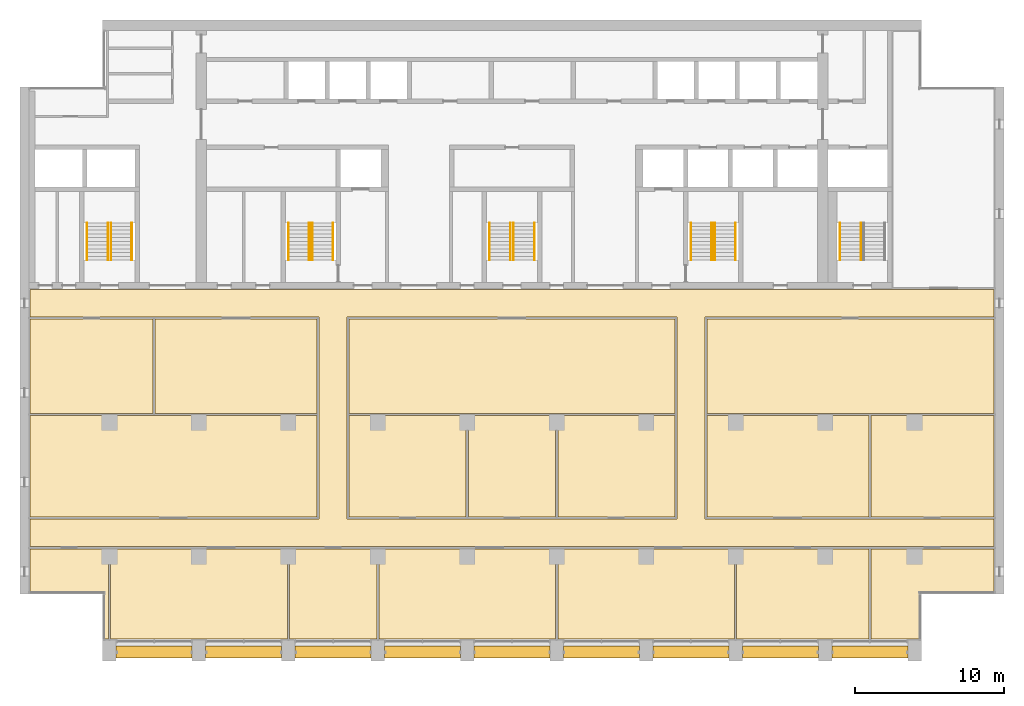
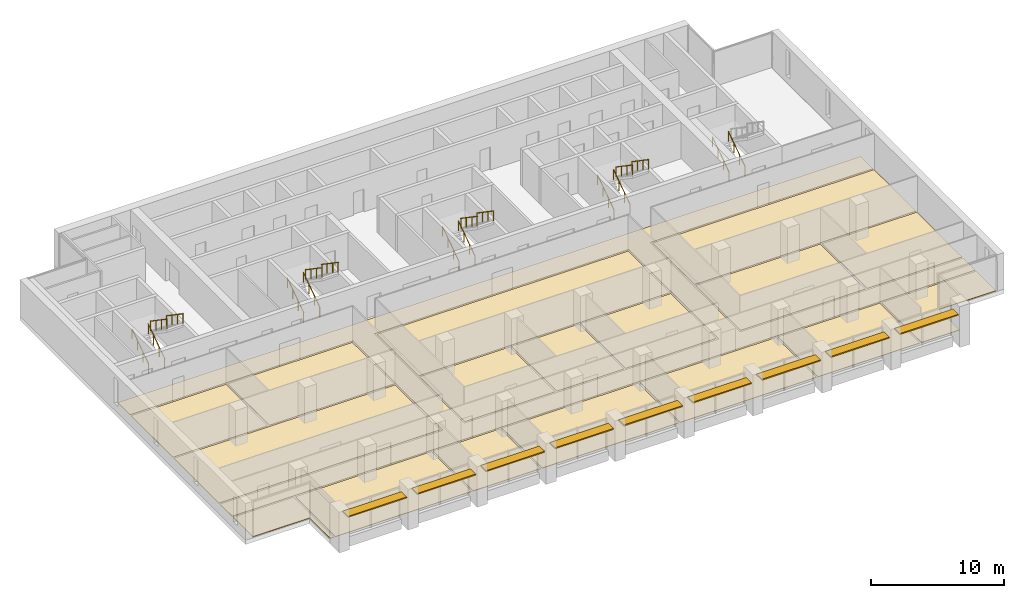
# One storey, part 16 of 17: 18 coverings, 18 railings, 9 shading devices, 5 elements without a shape of their own.
"""IFC4 building model written with IfcOpenShell, lengths in metres."""

from ifc_helpers import new_model, si_unit, direction, frame, origin, origin_2d, place, context, subcontext, project, spatial, polyline, rectangle, circle, outline, extrude, material, layer, layer_set, material_profile, profile_set, type_object, element, aggregate, save


model = new_model("IFC4")

# Units and contexts
model_context = context("Model", 3, precision=1e-05, world=origin(), true_north=direction((0.0, 1.0)))
body_context = subcontext(model_context, "Body", "Model", "MODEL_VIEW")
ifc_project = project(units=[si_unit("LENGTHUNIT", "METRE"), si_unit("AREAUNIT", "SQUARE_METRE"), si_unit("VOLUMEUNIT", "CUBIC_METRE"), si_unit("PLANEANGLEUNIT", "RADIAN"), si_unit("MASSUNIT", "GRAM", prefix="KILO")], contexts=[model_context])

# Site, building, storey
site_placement = place(None, origin())
site = spatial("IfcSite", under=ifc_project, at=site_placement, CompositionType="ELEMENT")
building_placement = place(site_placement, origin())
building = spatial("IfcBuilding", under=site, at=building_placement, Name="Calvaro Tower", CompositionType="ELEMENT")
storey_placement = place(building_placement, frame((0.0, 0.0, 204.25)))
storey = spatial("IfcBuildingStorey", under=building, at=storey_placement, Name="L51", CompositionType="ELEMENT", Elevation=204.25)

# Shading devices
ifc_material_1 = material(Name="Anodised aluminium", Category="aluminium")
ifc_material_profile = material_profile(ifc_material_1, rectangle(XDim=0.800048828125, YDim=0.10009765625, at=origin_2d()), Name="Brise-soleil blade 800 x 100")
ifc_profile_set = profile_set([ifc_material_profile], Name="Anodised aluminium")
shading_device_type = type_object("IfcShadingDeviceType", Name="Brise-soleil blade 800 x 100", PredefinedType="JALOUSIE", material=ifc_profile_set)
for number, where, z_axis, x_axis, name in (
    (1, (12.449951171875, 3.60009765625, 2.5), (1.0, 0.0, 0.0), (0.0, 1.0, 0.0), "Brise-soleil blade 1"),
    (2, (18.449951171875, 3.60009765625, 2.5), (1.0, 0.0, 0.0), (0.0, 1.0, 0.0), "Brise-soleil blade 2"),
    (3, (24.449951171875, 3.60009765625, 2.5), (1.0, 0.0, 0.0), (0.0, 1.0, 0.0), "Brise-soleil blade 3"),
    (4, (30.449951171875, 3.60009765625, 2.5), (1.0, 0.0, 0.0), (0.0, 1.0, 0.0), "Brise-soleil blade 4"),
    (5, (36.449951171875, 3.60009765625, 2.5), (1.0, 0.0, 0.0), (0.0, 1.0, 0.0), "Brise-soleil blade 5"),
    (6, (42.449951171875, 3.60009765625, 2.5), (1.0, 0.0, 0.0), (0.0, 1.0, 0.0), "Brise-soleil blade 6"),
    (7, (48.449951171875, 3.60009765625, 2.5), (1.0, 0.0, 0.0), (0.0, 1.0, 0.0), "Brise-soleil blade 7"),
    (8, (54.449951171875, 3.60009765625, 2.5), (1.0, 0.0, 0.0), (0.0, 1.0, 0.0), "Brise-soleil blade 8"),
    (9, (60.449951171875, 3.60009765625, 2.5), (1.0, 0.0, 0.0), (0.0, 1.0, 0.0), "Brise-soleil blade 9"),
):
    element("IfcShadingDevice", number, at=place(storey_placement, frame(where, z_axis=z_axis, x_axis=x_axis)), inside=storey, type_object=shading_device_type, Name=name, PredefinedType="JALOUSIE", context=body_context, shape_type="SweptSolid", body=[
        extrude(rectangle(XDim=0.800048828125, YDim=0.10009765625, at=origin_2d()), origin(), (0.0, 0.0, 1.0), 5.10009765625),
    ])

# Coverings
ifc_material_2 = material(Name="Cement screed with carpet tile finish")
ifc_layer = layer(ifc_material_2, 0.050048828125)
ifc_layer_set = layer_set([ifc_layer], Name="Cement screed with carpet tile finish")
covering_type = type_object("IfcCoveringType", Name="Floor finish 50", PredefinedType="FLOORING", material=ifc_layer_set)
covering_1_placement = place(storey_placement, origin())
element("IfcCovering", 10, at=covering_1_placement, inside=storey, type_object=covering_type, Name="Floor finish 29.01", PredefinedType="FLOORING", context=body_context, shape_type="SweptSolid", body=[
    extrude(outline(polyline([(6.669921875, 10.669921875), (6.669921875, 12.530029296875), (26.070068359375, 12.530029296875), (26.070068359375, 26.070068359375), (6.669921875, 26.070068359375), (6.669921875, 27.929931640625), (71.330078125, 27.929931640625), (71.330078125, 26.070068359375), (51.929931640625, 26.070068359375), (51.929931640625, 12.530029296875), (71.330078125, 12.530029296875), (71.330078125, 10.669921875), (6.669921875, 10.669921875)]), holes=[polyline([(50.070068359375, 12.530029296875), (50.070068359375, 26.070068359375), (27.929931640625, 26.070068359375), (27.929931640625, 12.530029296875), (50.070068359375, 12.530029296875)])]), origin(), (0.0, 0.0, 1.0), 0.050048828125),
])
covering_2_placement = place(storey_placement, origin())
element("IfcCovering", 11, at=covering_2_placement, inside=storey, type_object=covering_type, Name="Floor finish 29.08", PredefinedType="FLOORING", context=body_context, shape_type="SweptSolid", body=[
    extrude(outline(polyline([(11.929931640625, 10.530029296875), (11.929931640625, 4.469970703125), (11.6201171875, 4.469970703125), (11.6201171875, 7.570068359375), (6.669921875, 7.570068359375), (6.669921875, 10.530029296875), (11.929931640625, 10.530029296875)])), origin(), (0.0, 0.0, 1.0), 0.050048828125),
])
covering_3_placement = place(storey_placement, origin())
element("IfcCovering", 12, at=covering_3_placement, inside=storey, type_object=covering_type, Name="Floor finish 29.02", PredefinedType="FLOORING", context=body_context, shape_type="SweptSolid", body=[
    extrude(outline(polyline([(12.070068359375, 10.530029296875), (23.929931640625, 10.530029296875), (23.929931640625, 4.469970703125), (12.070068359375, 4.469970703125), (12.070068359375, 10.530029296875)])), origin(), (0.0, 0.0, 1.0), 0.050048828125),
])
covering_4_placement = place(storey_placement, origin())
element("IfcCovering", 13, at=covering_4_placement, inside=storey, type_object=covering_type, Name="Floor finish 29.03", PredefinedType="FLOORING", context=body_context, shape_type="SweptSolid", body=[
    extrude(outline(polyline([(24.070068359375, 10.530029296875), (29.929931640625, 10.530029296875), (29.929931640625, 4.469970703125), (24.070068359375, 4.469970703125), (24.070068359375, 10.530029296875)])), origin(), (0.0, 0.0, 1.0), 0.050048828125),
])
covering_5_placement = place(storey_placement, origin())
element("IfcCovering", 14, at=covering_5_placement, inside=storey, type_object=covering_type, Name="Floor finish 29.04", PredefinedType="FLOORING", context=body_context, shape_type="SweptSolid", body=[
    extrude(outline(polyline([(30.070068359375, 10.530029296875), (41.929931640625, 10.530029296875), (41.929931640625, 4.469970703125), (30.070068359375, 4.469970703125), (30.070068359375, 10.530029296875)])), origin(), (0.0, 0.0, 1.0), 0.050048828125),
])
covering_6_placement = place(storey_placement, origin())
element("IfcCovering", 15, at=covering_6_placement, inside=storey, type_object=covering_type, Name="Floor finish 29.05", PredefinedType="FLOORING", context=body_context, shape_type="SweptSolid", body=[
    extrude(outline(polyline([(42.070068359375, 10.530029296875), (53.929931640625, 10.530029296875), (53.929931640625, 4.469970703125), (42.070068359375, 4.469970703125), (42.070068359375, 10.530029296875)])), origin(), (0.0, 0.0, 1.0), 0.050048828125),
])
covering_7_placement = place(storey_placement, origin())
element("IfcCovering", 16, at=covering_7_placement, inside=storey, type_object=covering_type, Name="Floor finish 29.06", PredefinedType="FLOORING", context=body_context, shape_type="SweptSolid", body=[
    extrude(outline(polyline([(54.070068359375, 10.530029296875), (62.929931640625, 10.530029296875), (62.929931640625, 4.469970703125), (54.070068359375, 4.469970703125), (54.070068359375, 10.530029296875)])), origin(), (0.0, 0.0, 1.0), 0.050048828125),
])
covering_8_placement = place(storey_placement, origin())
element("IfcCovering", 17, at=covering_8_placement, inside=storey, type_object=covering_type, Name="Floor finish 29.07", PredefinedType="FLOORING", context=body_context, shape_type="SweptSolid", body=[
    extrude(outline(polyline([(71.330078125, 7.570068359375), (66.3798828125, 7.570068359375), (66.3798828125, 4.469970703125), (63.070068359375, 4.469970703125), (63.070068359375, 10.530029296875), (71.330078125, 10.530029296875), (71.330078125, 7.570068359375)])), origin(), (0.0, 0.0, 1.0), 0.050048828125),
])
covering_9_placement = place(storey_placement, origin())
element("IfcCovering", 18, at=covering_9_placement, inside=storey, type_object=covering_type, Name="Floor finish 29.09", PredefinedType="FLOORING", context=body_context, shape_type="SweptSolid", body=[
    extrude(outline(polyline([(25.929931640625, 19.47998046875), (25.929931640625, 12.669921875), (6.669921875, 12.669921875), (6.669921875, 19.47998046875), (25.929931640625, 19.47998046875)])), origin(), (0.0, 0.0, 1.0), 0.050048828125),
])
covering_10_placement = place(storey_placement, origin())
element("IfcCovering", 19, at=covering_10_placement, inside=storey, type_object=covering_type, Name="Floor finish 29.15", PredefinedType="FLOORING", context=body_context, shape_type="SweptSolid", body=[
    extrude(outline(polyline([(14.929931640625, 25.929931640625), (14.929931640625, 19.6201171875), (6.669921875, 19.6201171875), (6.669921875, 25.929931640625), (14.929931640625, 25.929931640625)])), origin(), (0.0, 0.0, 1.0), 0.050048828125),
])
covering_11_placement = place(storey_placement, origin())
element("IfcCovering", 20, at=covering_11_placement, inside=storey, type_object=covering_type, Name="Floor finish 29.16", PredefinedType="FLOORING", context=body_context, shape_type="SweptSolid", body=[
    extrude(outline(polyline([(15.070068359375, 19.6201171875), (15.070068359375, 25.929931640625), (25.929931640625, 25.929931640625), (25.929931640625, 19.6201171875), (15.070068359375, 19.6201171875)])), origin(), (0.0, 0.0, 1.0), 0.050048828125),
])
covering_12_placement = place(storey_placement, origin())
element("IfcCovering", 21, at=covering_12_placement, inside=storey, type_object=covering_type, Name="Floor finish 29.10", PredefinedType="FLOORING", context=body_context, shape_type="SweptSolid", body=[
    extrude(outline(polyline([(28.070068359375, 12.669921875), (28.070068359375, 19.47998046875), (35.929931640625, 19.47998046875), (35.929931640625, 12.669921875), (28.070068359375, 12.669921875)])), origin(), (0.0, 0.0, 1.0), 0.050048828125),
])
covering_13_placement = place(storey_placement, origin())
element("IfcCovering", 22, at=covering_13_placement, inside=storey, type_object=covering_type, Name="Floor finish 29.11", PredefinedType="FLOORING", context=body_context, shape_type="SweptSolid", body=[
    extrude(outline(polyline([(36.070068359375, 12.669921875), (36.070068359375, 19.47998046875), (41.929931640625, 19.47998046875), (41.929931640625, 12.669921875), (36.070068359375, 12.669921875)])), origin(), (0.0, 0.0, 1.0), 0.050048828125),
])
covering_14_placement = place(storey_placement, origin())
element("IfcCovering", 23, at=covering_14_placement, inside=storey, type_object=covering_type, Name="Floor finish 29.12", PredefinedType="FLOORING", context=body_context, shape_type="SweptSolid", body=[
    extrude(outline(polyline([(42.070068359375, 12.669921875), (42.070068359375, 19.47998046875), (49.929931640625, 19.47998046875), (49.929931640625, 12.669921875), (42.070068359375, 12.669921875)])), origin(), (0.0, 0.0, 1.0), 0.050048828125),
])
covering_15_placement = place(storey_placement, origin())
element("IfcCovering", 24, at=covering_15_placement, inside=storey, type_object=covering_type, Name="Floor finish 29.17", PredefinedType="FLOORING", context=body_context, shape_type="SweptSolid", body=[
    extrude(outline(polyline([(28.070068359375, 19.6201171875), (28.070068359375, 25.929931640625), (49.929931640625, 25.929931640625), (49.929931640625, 19.6201171875), (28.070068359375, 19.6201171875)])), origin(), (0.0, 0.0, 1.0), 0.050048828125),
])
covering_16_placement = place(storey_placement, origin())
element("IfcCovering", 25, at=covering_16_placement, inside=storey, type_object=covering_type, Name="Floor finish 29.13", PredefinedType="FLOORING", context=body_context, shape_type="SweptSolid", body=[
    extrude(outline(polyline([(52.070068359375, 12.669921875), (52.070068359375, 19.47998046875), (62.929931640625, 19.47998046875), (62.929931640625, 12.669921875), (52.070068359375, 12.669921875)])), origin(), (0.0, 0.0, 1.0), 0.050048828125),
])
covering_17_placement = place(storey_placement, origin())
element("IfcCovering", 26, at=covering_17_placement, inside=storey, type_object=covering_type, Name="Floor finish 29.14", PredefinedType="FLOORING", context=body_context, shape_type="SweptSolid", body=[
    extrude(outline(polyline([(71.330078125, 12.669921875), (63.070068359375, 12.669921875), (63.070068359375, 19.47998046875), (71.330078125, 19.47998046875), (71.330078125, 12.669921875)])), origin(), (0.0, 0.0, 1.0), 0.050048828125),
])
covering_18_placement = place(storey_placement, origin())
element("IfcCovering", 27, at=covering_18_placement, inside=storey, type_object=covering_type, Name="Floor finish 29.18", PredefinedType="FLOORING", context=body_context, shape_type="SweptSolid", body=[
    extrude(outline(polyline([(71.330078125, 19.6201171875), (52.070068359375, 19.6201171875), (52.070068359375, 25.929931640625), (71.330078125, 25.929931640625), (71.330078125, 19.6201171875)])), origin(), (0.0, 0.0, 1.0), 0.050048828125),
])

# Stair, railings
ifc_material_3 = material(Name="Concrete C40/50", Category="concrete")
stair_type = type_object("IfcStairType", Name="Exit stair 1400 2 flights", PredefinedType="HALF_TURN_STAIR", material=ifc_material_3)
stair_1_placement = place(storey_placement, origin())
stair_1 = element("IfcStair", 28, at=stair_1_placement, inside=storey, type_object=stair_type, Name="Exit stair S1", PredefinedType="HALF_TURN_STAIR")
ifc_material_4 = material(Name="Stainless steel", Category="steel")
railing_type = type_object("IfcRailingType", Name="Stair handrail", PredefinedType="HANDRAIL", material=ifc_material_4)
railing_1_placement = place(storey_placement, frame((11.89990234375, 29.89990234375, 0.17041015625)))
railing_1 = element("IfcRailing", 29, at=railing_1_placement, type_object=railing_type, Name="Exit stair 1 handrail", PredefinedType="HANDRAIL", context=body_context, shape_type="SweptSolid", body=[
    extrude(circle(Radius=0.02392578125, at=origin_2d()), frame((0.0, 0.0, 0.8759765625), z_axis=(0.0, 0.826220514629, 0.563346839174), x_axis=(-1.0, 0.0, 0.0)), (0.0, 0.0, 1.0), 3.02587890625),
    extrude(circle(Radius=0.02099609375, at=origin_2d()), frame((0.0, 0.017333984375, 0.01171875)), (0.0, 0.0, 1.0), 0.851806640625),
    extrude(circle(Radius=0.02099609375, at=origin_2d()), frame((0.0, 0.833251953125, 0.568115234375)), (0.0, 0.0, 1.0), 0.851806640625),
    extrude(circle(Radius=0.02099609375, at=origin_2d()), frame((0.0, 1.666748046875, 1.136474609375)), (0.0, 0.0, 1.0), 0.851806640625),
    extrude(circle(Radius=0.02099609375, at=origin_2d()), frame((0.0, 2.482666015625, 1.69287109375)), (0.0, 0.0, 1.0), 0.851806640625),
])
railing_2_placement = place(storey_placement, frame((10.5, 29.89990234375, 0.17041015625)))
railing_2 = element("IfcRailing", 30, at=railing_2_placement, type_object=railing_type, Name="Exit stair 1 handrail", PredefinedType="HANDRAIL", context=body_context, shape_type="SweptSolid", body=[
    extrude(circle(Radius=0.02392578125, at=origin_2d()), frame((0.0, 0.0, 0.8759765625), z_axis=(0.0, 0.826220514629, 0.563346839174), x_axis=(-1.0, 0.0, 0.0)), (0.0, 0.0, 1.0), 3.02587890625),
    extrude(circle(Radius=0.02099609375, at=origin_2d()), frame((0.0, 0.017333984375, 0.01171875)), (0.0, 0.0, 1.0), 0.851806640625),
    extrude(circle(Radius=0.02099609375, at=origin_2d()), frame((0.0, 0.833251953125, 0.568115234375)), (0.0, 0.0, 1.0), 0.851806640625),
    extrude(circle(Radius=0.02099609375, at=origin_2d()), frame((0.0, 1.666748046875, 1.136474609375)), (0.0, 0.0, 1.0), 0.851806640625),
    extrude(circle(Radius=0.02099609375, at=origin_2d()), frame((0.0, 2.482666015625, 1.69287109375)), (0.0, 0.0, 1.0), 0.851806640625),
])
railing_3_placement = place(storey_placement, frame((12.10009765625, 32.39990234375, 2.04541015625)))
railing_3 = element("IfcRailing", 31, at=railing_3_placement, type_object=railing_type, Name="Exit stair 1 handrail", PredefinedType="HANDRAIL", context=body_context, shape_type="SweptSolid", body=[
    extrude(circle(Radius=0.02392578125, at=origin_2d()), frame((0.0, 0.0, 0.8759765625), z_axis=(0.0, -0.826220514629, 0.563346839174), x_axis=(1.0, 0.0, 0.0)), (0.0, 0.0, 1.0), 3.02587890625),
    extrude(circle(Radius=0.02099609375, at=origin_2d()), frame((0.0, -0.017333984375, 0.01171875)), (0.0, 0.0, 1.0), 0.851806640625),
    extrude(circle(Radius=0.02099609375, at=origin_2d()), frame((0.0, -0.833251953125, 0.568115234375)), (0.0, 0.0, 1.0), 0.851806640625),
    extrude(circle(Radius=0.02099609375, at=origin_2d()), frame((0.0, -1.666748046875, 1.136474609375)), (0.0, 0.0, 1.0), 0.851806640625),
    extrude(circle(Radius=0.02099609375, at=origin_2d()), frame((0.0, -2.482666015625, 1.69287109375)), (0.0, 0.0, 1.0), 0.851806640625),
])
railing_4_placement = place(storey_placement, frame((13.5, 32.39990234375, 2.04541015625)))
railing_4 = element("IfcRailing", 32, at=railing_4_placement, type_object=railing_type, Name="Exit stair 1 handrail", PredefinedType="HANDRAIL", context=body_context, shape_type="SweptSolid", body=[
    extrude(circle(Radius=0.02392578125, at=origin_2d()), frame((0.0, 0.0, 0.8759765625), z_axis=(0.0, -0.826220514629, 0.563346839174), x_axis=(1.0, 0.0, 0.0)), (0.0, 0.0, 1.0), 3.02587890625),
    extrude(circle(Radius=0.02099609375, at=origin_2d()), frame((0.0, -0.017333984375, 0.01171875)), (0.0, 0.0, 1.0), 0.851806640625),
    extrude(circle(Radius=0.02099609375, at=origin_2d()), frame((0.0, -0.833251953125, 0.568115234375)), (0.0, 0.0, 1.0), 0.851806640625),
    extrude(circle(Radius=0.02099609375, at=origin_2d()), frame((0.0, -1.666748046875, 1.136474609375)), (0.0, 0.0, 1.0), 0.851806640625),
    extrude(circle(Radius=0.02099609375, at=origin_2d()), frame((0.0, -2.482666015625, 1.69287109375)), (0.0, 0.0, 1.0), 0.851806640625),
])
aggregate(stair_1, [railing_1, railing_2, railing_3, railing_4])

stair_2_placement = place(storey_placement, origin())
stair_2 = element("IfcStair", 33, at=stair_2_placement, inside=storey, type_object=stair_type, Name="Exit stair S2", PredefinedType="HALF_TURN_STAIR")
railing_5_placement = place(storey_placement, frame((25.39990234375, 29.89990234375, 0.17041015625)))
railing_5 = element("IfcRailing", 34, at=railing_5_placement, type_object=railing_type, Name="Exit stair 2 handrail", PredefinedType="HANDRAIL", context=body_context, shape_type="SweptSolid", body=[
    extrude(circle(Radius=0.02392578125, at=origin_2d()), frame((0.0, 0.0, 0.8759765625), z_axis=(0.0, 0.826220514629, 0.563346839174), x_axis=(-1.0, 0.0, 0.0)), (0.0, 0.0, 1.0), 3.02587890625),
    extrude(circle(Radius=0.02099609375, at=origin_2d()), frame((0.0, 0.017333984375, 0.01171875)), (0.0, 0.0, 1.0), 0.851806640625),
    extrude(circle(Radius=0.02099609375, at=origin_2d()), frame((0.0, 0.833251953125, 0.568115234375)), (0.0, 0.0, 1.0), 0.851806640625),
    extrude(circle(Radius=0.02099609375, at=origin_2d()), frame((0.0, 1.666748046875, 1.136474609375)), (0.0, 0.0, 1.0), 0.851806640625),
    extrude(circle(Radius=0.02099609375, at=origin_2d()), frame((0.0, 2.482666015625, 1.69287109375)), (0.0, 0.0, 1.0), 0.851806640625),
])
railing_6_placement = place(storey_placement, frame((24.0, 29.89990234375, 0.17041015625)))
railing_6 = element("IfcRailing", 35, at=railing_6_placement, type_object=railing_type, Name="Exit stair 2 handrail", PredefinedType="HANDRAIL", context=body_context, shape_type="SweptSolid", body=[
    extrude(circle(Radius=0.02392578125, at=origin_2d()), frame((0.0, 0.0, 0.8759765625), z_axis=(0.0, 0.826220514629, 0.563346839174), x_axis=(-1.0, 0.0, 0.0)), (0.0, 0.0, 1.0), 3.02587890625),
    extrude(circle(Radius=0.02099609375, at=origin_2d()), frame((0.0, 0.017333984375, 0.01171875)), (0.0, 0.0, 1.0), 0.851806640625),
    extrude(circle(Radius=0.02099609375, at=origin_2d()), frame((0.0, 0.833251953125, 0.568115234375)), (0.0, 0.0, 1.0), 0.851806640625),
    extrude(circle(Radius=0.02099609375, at=origin_2d()), frame((0.0, 1.666748046875, 1.136474609375)), (0.0, 0.0, 1.0), 0.851806640625),
    extrude(circle(Radius=0.02099609375, at=origin_2d()), frame((0.0, 2.482666015625, 1.69287109375)), (0.0, 0.0, 1.0), 0.851806640625),
])
railing_7_placement = place(storey_placement, frame((25.60009765625, 32.39990234375, 2.04541015625)))
railing_7 = element("IfcRailing", 36, at=railing_7_placement, type_object=railing_type, Name="Exit stair 2 handrail", PredefinedType="HANDRAIL", context=body_context, shape_type="SweptSolid", body=[
    extrude(circle(Radius=0.02392578125, at=origin_2d()), frame((0.0, 0.0, 0.8759765625), z_axis=(0.0, -0.826220514629, 0.563346839174), x_axis=(1.0, 0.0, 0.0)), (0.0, 0.0, 1.0), 3.02587890625),
    extrude(circle(Radius=0.02099609375, at=origin_2d()), frame((0.0, -0.017333984375, 0.01171875)), (0.0, 0.0, 1.0), 0.851806640625),
    extrude(circle(Radius=0.02099609375, at=origin_2d()), frame((0.0, -0.833251953125, 0.568115234375)), (0.0, 0.0, 1.0), 0.851806640625),
    extrude(circle(Radius=0.02099609375, at=origin_2d()), frame((0.0, -1.666748046875, 1.136474609375)), (0.0, 0.0, 1.0), 0.851806640625),
    extrude(circle(Radius=0.02099609375, at=origin_2d()), frame((0.0, -2.482666015625, 1.69287109375)), (0.0, 0.0, 1.0), 0.851806640625),
])
railing_8_placement = place(storey_placement, frame((27.0, 32.39990234375, 2.04541015625)))
railing_8 = element("IfcRailing", 37, at=railing_8_placement, type_object=railing_type, Name="Exit stair 2 handrail", PredefinedType="HANDRAIL", context=body_context, shape_type="SweptSolid", body=[
    extrude(circle(Radius=0.02392578125, at=origin_2d()), frame((0.0, 0.0, 0.8759765625), z_axis=(0.0, -0.826220514629, 0.563346839174), x_axis=(1.0, 0.0, 0.0)), (0.0, 0.0, 1.0), 3.02587890625),
    extrude(circle(Radius=0.02099609375, at=origin_2d()), frame((0.0, -0.017333984375, 0.01171875)), (0.0, 0.0, 1.0), 0.851806640625),
    extrude(circle(Radius=0.02099609375, at=origin_2d()), frame((0.0, -0.833251953125, 0.568115234375)), (0.0, 0.0, 1.0), 0.851806640625),
    extrude(circle(Radius=0.02099609375, at=origin_2d()), frame((0.0, -1.666748046875, 1.136474609375)), (0.0, 0.0, 1.0), 0.851806640625),
    extrude(circle(Radius=0.02099609375, at=origin_2d()), frame((0.0, -2.482666015625, 1.69287109375)), (0.0, 0.0, 1.0), 0.851806640625),
])
aggregate(stair_2, [railing_5, railing_6, railing_7, railing_8])

stair_3_placement = place(storey_placement, origin())
stair_3 = element("IfcStair", 38, at=stair_3_placement, inside=storey, type_object=stair_type, Name="Exit stair S3", PredefinedType="HALF_TURN_STAIR")
railing_9_placement = place(storey_placement, frame((38.89990234375, 29.89990234375, 0.17041015625)))
railing_9 = element("IfcRailing", 39, at=railing_9_placement, type_object=railing_type, Name="Exit stair 3 handrail", PredefinedType="HANDRAIL", context=body_context, shape_type="SweptSolid", body=[
    extrude(circle(Radius=0.02392578125, at=origin_2d()), frame((0.0, 0.0, 0.8759765625), z_axis=(0.0, 0.826220514629, 0.563346839174), x_axis=(-1.0, 0.0, 0.0)), (0.0, 0.0, 1.0), 3.02587890625),
    extrude(circle(Radius=0.02099609375, at=origin_2d()), frame((0.0, 0.017333984375, 0.01171875)), (0.0, 0.0, 1.0), 0.851806640625),
    extrude(circle(Radius=0.02099609375, at=origin_2d()), frame((0.0, 0.833251953125, 0.568115234375)), (0.0, 0.0, 1.0), 0.851806640625),
    extrude(circle(Radius=0.02099609375, at=origin_2d()), frame((0.0, 1.666748046875, 1.136474609375)), (0.0, 0.0, 1.0), 0.851806640625),
    extrude(circle(Radius=0.02099609375, at=origin_2d()), frame((0.0, 2.482666015625, 1.69287109375)), (0.0, 0.0, 1.0), 0.851806640625),
])
railing_10_placement = place(storey_placement, frame((37.5, 29.89990234375, 0.17041015625)))
railing_10 = element("IfcRailing", 40, at=railing_10_placement, type_object=railing_type, Name="Exit stair 3 handrail", PredefinedType="HANDRAIL", context=body_context, shape_type="SweptSolid", body=[
    extrude(circle(Radius=0.02392578125, at=origin_2d()), frame((0.0, 0.0, 0.8759765625), z_axis=(0.0, 0.826220514629, 0.563346839174), x_axis=(-1.0, 0.0, 0.0)), (0.0, 0.0, 1.0), 3.02587890625),
    extrude(circle(Radius=0.02099609375, at=origin_2d()), frame((0.0, 0.017333984375, 0.01171875)), (0.0, 0.0, 1.0), 0.851806640625),
    extrude(circle(Radius=0.02099609375, at=origin_2d()), frame((0.0, 0.833251953125, 0.568115234375)), (0.0, 0.0, 1.0), 0.851806640625),
    extrude(circle(Radius=0.02099609375, at=origin_2d()), frame((0.0, 1.666748046875, 1.136474609375)), (0.0, 0.0, 1.0), 0.851806640625),
    extrude(circle(Radius=0.02099609375, at=origin_2d()), frame((0.0, 2.482666015625, 1.69287109375)), (0.0, 0.0, 1.0), 0.851806640625),
])
railing_11_placement = place(storey_placement, frame((39.10009765625, 32.39990234375, 2.04541015625)))
railing_11 = element("IfcRailing", 41, at=railing_11_placement, type_object=railing_type, Name="Exit stair 3 handrail", PredefinedType="HANDRAIL", context=body_context, shape_type="SweptSolid", body=[
    extrude(circle(Radius=0.02392578125, at=origin_2d()), frame((0.0, 0.0, 0.8759765625), z_axis=(0.0, -0.826220514629, 0.563346839174), x_axis=(1.0, 0.0, 0.0)), (0.0, 0.0, 1.0), 3.02587890625),
    extrude(circle(Radius=0.02099609375, at=origin_2d()), frame((0.0, -0.017333984375, 0.01171875)), (0.0, 0.0, 1.0), 0.851806640625),
    extrude(circle(Radius=0.02099609375, at=origin_2d()), frame((0.0, -0.833251953125, 0.568115234375)), (0.0, 0.0, 1.0), 0.851806640625),
    extrude(circle(Radius=0.02099609375, at=origin_2d()), frame((0.0, -1.666748046875, 1.136474609375)), (0.0, 0.0, 1.0), 0.851806640625),
    extrude(circle(Radius=0.02099609375, at=origin_2d()), frame((0.0, -2.482666015625, 1.69287109375)), (0.0, 0.0, 1.0), 0.851806640625),
])
railing_12_placement = place(storey_placement, frame((40.5, 32.39990234375, 2.04541015625)))
railing_12 = element("IfcRailing", 42, at=railing_12_placement, type_object=railing_type, Name="Exit stair 3 handrail", PredefinedType="HANDRAIL", context=body_context, shape_type="SweptSolid", body=[
    extrude(circle(Radius=0.02392578125, at=origin_2d()), frame((0.0, 0.0, 0.8759765625), z_axis=(0.0, -0.826220514629, 0.563346839174), x_axis=(1.0, 0.0, 0.0)), (0.0, 0.0, 1.0), 3.02587890625),
    extrude(circle(Radius=0.02099609375, at=origin_2d()), frame((0.0, -0.017333984375, 0.01171875)), (0.0, 0.0, 1.0), 0.851806640625),
    extrude(circle(Radius=0.02099609375, at=origin_2d()), frame((0.0, -0.833251953125, 0.568115234375)), (0.0, 0.0, 1.0), 0.851806640625),
    extrude(circle(Radius=0.02099609375, at=origin_2d()), frame((0.0, -1.666748046875, 1.136474609375)), (0.0, 0.0, 1.0), 0.851806640625),
    extrude(circle(Radius=0.02099609375, at=origin_2d()), frame((0.0, -2.482666015625, 1.69287109375)), (0.0, 0.0, 1.0), 0.851806640625),
])
aggregate(stair_3, [railing_9, railing_10, railing_11, railing_12])

stair_4_placement = place(storey_placement, origin())
stair_4 = element("IfcStair", 43, at=stair_4_placement, inside=storey, type_object=stair_type, Name="Exit stair S4", PredefinedType="HALF_TURN_STAIR")
railing_13_placement = place(storey_placement, frame((52.39990234375, 29.89990234375, 0.17041015625)))
railing_13 = element("IfcRailing", 44, at=railing_13_placement, type_object=railing_type, Name="Exit stair 4 handrail", PredefinedType="HANDRAIL", context=body_context, shape_type="SweptSolid", body=[
    extrude(circle(Radius=0.02392578125, at=origin_2d()), frame((0.0, 0.0, 0.8759765625), z_axis=(0.0, 0.826220514629, 0.563346839174), x_axis=(-1.0, 0.0, 0.0)), (0.0, 0.0, 1.0), 3.02587890625),
    extrude(circle(Radius=0.02099609375, at=origin_2d()), frame((0.0, 0.017333984375, 0.01171875)), (0.0, 0.0, 1.0), 0.851806640625),
    extrude(circle(Radius=0.02099609375, at=origin_2d()), frame((0.0, 0.833251953125, 0.568115234375)), (0.0, 0.0, 1.0), 0.851806640625),
    extrude(circle(Radius=0.02099609375, at=origin_2d()), frame((0.0, 1.666748046875, 1.136474609375)), (0.0, 0.0, 1.0), 0.851806640625),
    extrude(circle(Radius=0.02099609375, at=origin_2d()), frame((0.0, 2.482666015625, 1.69287109375)), (0.0, 0.0, 1.0), 0.851806640625),
])
railing_14_placement = place(storey_placement, frame((51.0, 29.89990234375, 0.17041015625)))
railing_14 = element("IfcRailing", 45, at=railing_14_placement, type_object=railing_type, Name="Exit stair 4 handrail", PredefinedType="HANDRAIL", context=body_context, shape_type="SweptSolid", body=[
    extrude(circle(Radius=0.02392578125, at=origin_2d()), frame((0.0, 0.0, 0.8759765625), z_axis=(0.0, 0.826220514629, 0.563346839174), x_axis=(-1.0, 0.0, 0.0)), (0.0, 0.0, 1.0), 3.02587890625),
    extrude(circle(Radius=0.02099609375, at=origin_2d()), frame((0.0, 0.017333984375, 0.01171875)), (0.0, 0.0, 1.0), 0.851806640625),
    extrude(circle(Radius=0.02099609375, at=origin_2d()), frame((0.0, 0.833251953125, 0.568115234375)), (0.0, 0.0, 1.0), 0.851806640625),
    extrude(circle(Radius=0.02099609375, at=origin_2d()), frame((0.0, 1.666748046875, 1.136474609375)), (0.0, 0.0, 1.0), 0.851806640625),
    extrude(circle(Radius=0.02099609375, at=origin_2d()), frame((0.0, 2.482666015625, 1.69287109375)), (0.0, 0.0, 1.0), 0.851806640625),
])
railing_15_placement = place(storey_placement, frame((52.60009765625, 32.39990234375, 2.04541015625)))
railing_15 = element("IfcRailing", 46, at=railing_15_placement, type_object=railing_type, Name="Exit stair 4 handrail", PredefinedType="HANDRAIL", context=body_context, shape_type="SweptSolid", body=[
    extrude(circle(Radius=0.02392578125, at=origin_2d()), frame((0.0, 0.0, 0.8759765625), z_axis=(0.0, -0.826220514629, 0.563346839174), x_axis=(1.0, 0.0, 0.0)), (0.0, 0.0, 1.0), 3.02587890625),
    extrude(circle(Radius=0.02099609375, at=origin_2d()), frame((0.0, -0.017333984375, 0.01171875)), (0.0, 0.0, 1.0), 0.851806640625),
    extrude(circle(Radius=0.02099609375, at=origin_2d()), frame((0.0, -0.833251953125, 0.568115234375)), (0.0, 0.0, 1.0), 0.851806640625),
    extrude(circle(Radius=0.02099609375, at=origin_2d()), frame((0.0, -1.666748046875, 1.136474609375)), (0.0, 0.0, 1.0), 0.851806640625),
    extrude(circle(Radius=0.02099609375, at=origin_2d()), frame((0.0, -2.482666015625, 1.69287109375)), (0.0, 0.0, 1.0), 0.851806640625),
])
railing_16_placement = place(storey_placement, frame((54.0, 32.39990234375, 2.04541015625)))
railing_16 = element("IfcRailing", 47, at=railing_16_placement, type_object=railing_type, Name="Exit stair 4 handrail", PredefinedType="HANDRAIL", context=body_context, shape_type="SweptSolid", body=[
    extrude(circle(Radius=0.02392578125, at=origin_2d()), frame((0.0, 0.0, 0.8759765625), z_axis=(0.0, -0.826220514629, 0.563346839174), x_axis=(1.0, 0.0, 0.0)), (0.0, 0.0, 1.0), 3.02587890625),
    extrude(circle(Radius=0.02099609375, at=origin_2d()), frame((0.0, -0.017333984375, 0.01171875)), (0.0, 0.0, 1.0), 0.851806640625),
    extrude(circle(Radius=0.02099609375, at=origin_2d()), frame((0.0, -0.833251953125, 0.568115234375)), (0.0, 0.0, 1.0), 0.851806640625),
    extrude(circle(Radius=0.02099609375, at=origin_2d()), frame((0.0, -1.666748046875, 1.136474609375)), (0.0, 0.0, 1.0), 0.851806640625),
    extrude(circle(Radius=0.02099609375, at=origin_2d()), frame((0.0, -2.482666015625, 1.69287109375)), (0.0, 0.0, 1.0), 0.851806640625),
])
aggregate(stair_4, [railing_13, railing_14, railing_15, railing_16])

stair_5_placement = place(storey_placement, origin())
stair_5 = element("IfcStair", 48, at=stair_5_placement, inside=storey, type_object=stair_type, Name="Exit stair S5", PredefinedType="HALF_TURN_STAIR")
railing_17_placement = place(storey_placement, frame((62.39990234375, 29.89990234375, 0.17041015625)))
railing_17 = element("IfcRailing", 49, at=railing_17_placement, type_object=railing_type, Name="Exit stair 5 handrail", PredefinedType="HANDRAIL", context=body_context, shape_type="SweptSolid", body=[
    extrude(circle(Radius=0.02392578125, at=origin_2d()), frame((0.0, 0.0, 0.8759765625), z_axis=(0.0, 0.826220514629, 0.563346839174), x_axis=(-1.0, 0.0, 0.0)), (0.0, 0.0, 1.0), 3.02587890625),
    extrude(circle(Radius=0.02099609375, at=origin_2d()), frame((0.0, 0.017333984375, 0.01171875)), (0.0, 0.0, 1.0), 0.851806640625),
    extrude(circle(Radius=0.02099609375, at=origin_2d()), frame((0.0, 0.833251953125, 0.568115234375)), (0.0, 0.0, 1.0), 0.851806640625),
    extrude(circle(Radius=0.02099609375, at=origin_2d()), frame((0.0, 1.666748046875, 1.136474609375)), (0.0, 0.0, 1.0), 0.851806640625),
    extrude(circle(Radius=0.02099609375, at=origin_2d()), frame((0.0, 2.482666015625, 1.69287109375)), (0.0, 0.0, 1.0), 0.851806640625),
])
railing_18_placement = place(storey_placement, frame((61.0, 29.89990234375, 0.17041015625)))
railing_18 = element("IfcRailing", 50, at=railing_18_placement, type_object=railing_type, Name="Exit stair 5 handrail", PredefinedType="HANDRAIL", context=body_context, shape_type="SweptSolid", body=[
    extrude(circle(Radius=0.02392578125, at=origin_2d()), frame((0.0, 0.0, 0.8759765625), z_axis=(0.0, 0.826220514629, 0.563346839174), x_axis=(-1.0, 0.0, 0.0)), (0.0, 0.0, 1.0), 3.02587890625),
    extrude(circle(Radius=0.02099609375, at=origin_2d()), frame((0.0, 0.017333984375, 0.01171875)), (0.0, 0.0, 1.0), 0.851806640625),
    extrude(circle(Radius=0.02099609375, at=origin_2d()), frame((0.0, 0.833251953125, 0.568115234375)), (0.0, 0.0, 1.0), 0.851806640625),
    extrude(circle(Radius=0.02099609375, at=origin_2d()), frame((0.0, 1.666748046875, 1.136474609375)), (0.0, 0.0, 1.0), 0.851806640625),
    extrude(circle(Radius=0.02099609375, at=origin_2d()), frame((0.0, 2.482666015625, 1.69287109375)), (0.0, 0.0, 1.0), 0.851806640625),
])
aggregate(stair_5, [railing_17, railing_18])

save(model, "model.ifc")
